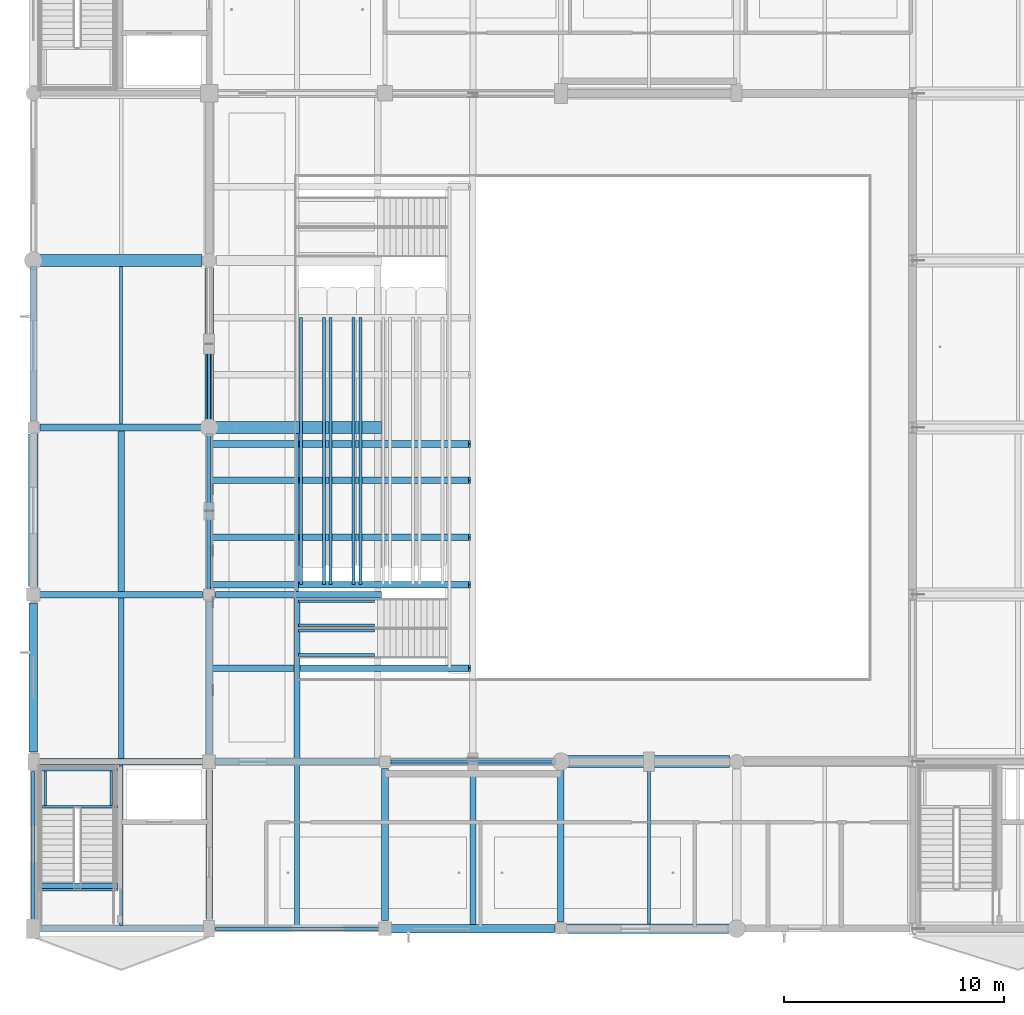
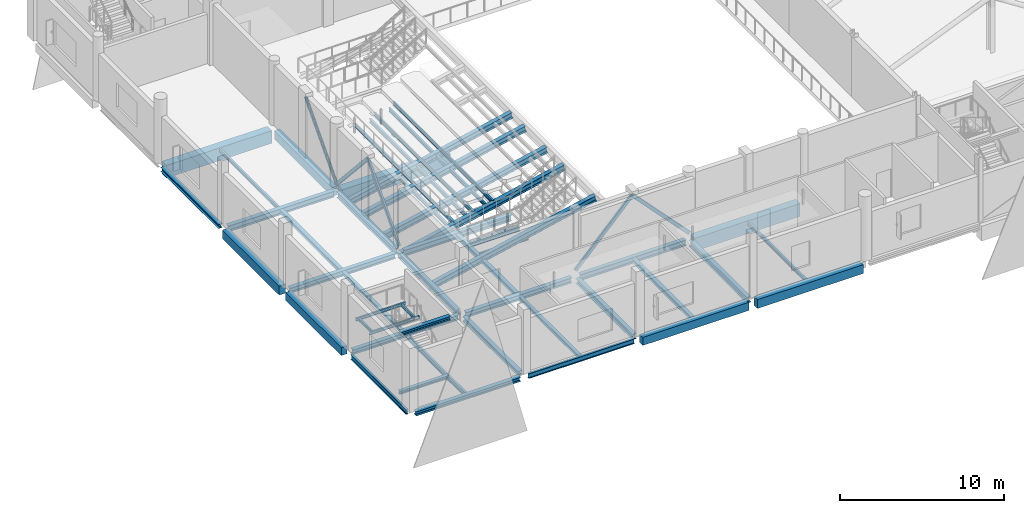
# One storey, part 11 of 147: 52 beams, 5 members.
"""IFC4 building model written with IfcOpenShell, lengths in metres."""

from ifc_helpers import new_model, si_unit, direction, frame, origin, origin_2d, place, context, subcontext, project, spatial, rectangle, hollow_rectangle, hollow_circle, i_section, extrude, material, material_profile, profile_set, type_object, element, save


model = new_model("IFC4")

# Units and contexts
model_context = context("Model", 3, precision=1e-05, world=origin(), true_north=direction((0.0, 1.0)))
body_context = subcontext(model_context, "Body", "Model", "MODEL_VIEW")
ifc_project = project(units=[si_unit("LENGTHUNIT", "METRE"), si_unit("AREAUNIT", "SQUARE_METRE"), si_unit("VOLUMEUNIT", "CUBIC_METRE"), si_unit("PLANEANGLEUNIT", "RADIAN"), si_unit("MASSUNIT", "GRAM", prefix="KILO")], contexts=[model_context])

# Site, building, storey
site_placement = place(None, origin())
site = spatial("IfcSite", under=ifc_project, at=site_placement, CompositionType="ELEMENT")
building_placement = place(site_placement, origin())
building = spatial("IfcBuilding", under=site, at=building_placement, Name="Khelvaren Railside Concert Hall", CompositionType="ELEMENT")
storey_placement = place(building_placement, frame((0.0, 0.0, 5.39990234375)))
storey = spatial("IfcBuildingStorey", under=building, at=storey_placement, Name="L01", CompositionType="ELEMENT", Elevation=5.39990234375)

# Beams
ifc_material_1 = material(Name="Steel S355", Category="steel")
ifc_material_profile_1 = material_profile(ifc_material_1, i_section(OverallWidth=0.300048828125, OverallDepth=0.389892578125, WebThickness=0.010986328125, FlangeThickness=0.01904296875, FilletRadius=0.027099609375, at=origin_2d()), Name="HEA 400")
ifc_profile_set_1 = profile_set([ifc_material_profile_1], Name="Steel S355")
beam_type_1 = type_object("IfcBeamType", Name="BM23", PredefinedType="BEAM", material=ifc_profile_set_1)
for number, where, z_axis, x_axis, name in (
    (1, (8.25, 7.60009765625, -0.494873046875), (1.0, 0.0, 0.0), (0.0, 1.0, 0.0), "V1 L01 Beam X2.2"),
    (2, (0.25, 15.199951171875, -0.494873046875), (1.0, 0.0, 0.0), (0.0, 1.0, 0.0), "V1 L01 Beam X3.1"),
):
    element("IfcBeam", number, at=place(storey_placement, frame(where, z_axis=z_axis, x_axis=x_axis)), inside=storey, type_object=beam_type_1, Name=name, PredefinedType="BEAM", context=body_context, shape_type="SweptSolid", body=[
        extrude(i_section(OverallWidth=0.300048828125, OverallDepth=0.389892578125, WebThickness=0.010986328125, FlangeThickness=0.01904296875, FilletRadius=0.027099609375, at=origin_2d()), origin(), (0.0, 0.0, 1.0), 7.449951171875),
    ])
beam_1_placement = place(storey_placement, frame((8.0, 7.97509765625, -0.494873046875), z_axis=(0.0, 1.0, 0.0), x_axis=(-1.0, 0.0, 0.0)))
element("IfcBeam", 3, at=beam_1_placement, inside=storey, type_object=beam_type_1, Name="V1 L01 Beam Y2.2", PredefinedType="BEAM", context=body_context, shape_type="SweptSolid", body=[
    extrude(i_section(OverallWidth=0.300048828125, OverallDepth=0.389892578125, WebThickness=0.010986328125, FlangeThickness=0.01904296875, FilletRadius=0.027099609375, at=origin_2d()), origin(), (0.0, 0.0, 1.0), 6.9248046875),
])
beam_2_placement = place(storey_placement, frame((16.0, 0.375, -0.494873046875), z_axis=(0.0, 1.0, 0.0), x_axis=(-1.0, 0.0, 0.0)))
element("IfcBeam", 4, at=beam_2_placement, inside=storey, type_object=beam_type_1, Name="V1 L01 Beam Y3.1", PredefinedType="BEAM", context=body_context, shape_type="SweptSolid", body=[
    extrude(i_section(OverallWidth=0.300048828125, OverallDepth=0.389892578125, WebThickness=0.010986328125, FlangeThickness=0.01904296875, FilletRadius=0.027099609375, at=origin_2d()), origin(), (0.0, 0.0, 1.0), 6.925048828125),
])
ifc_material_profile_2 = material_profile(ifc_material_1, i_section(OverallWidth=0.1201171875, OverallDepth=0.239990234375, WebThickness=0.006103515625, FlangeThickness=0.009765625, FilletRadius=0.014892578125, at=origin_2d()), Name="IPE 240")
ifc_profile_set_2 = profile_set([ifc_material_profile_2], Name="Steel S355")
beam_type_2 = type_object("IfcBeamType", Name="BM30", PredefinedType="BEAM", material=ifc_profile_set_2)
for number, where, z_axis, x_axis, name in (
    (5, (12.070068359375, 12.449951171875, -0.31982421875), (1.0, 0.0, 0.0), (0.0, 1.0, 0.0), "Vomitory Landing Stringer ST-17-S"),
    (6, (12.070068359375, 13.550048828125, -0.31982421875), (1.0, 0.0, 0.0), (0.0, 1.0, 0.0), "Vomitory Landing Stringer ST-17-N"),
    (7, (12.070068359375, 13.800048828125, -0.31982421875), (1.0, 0.0, 0.0), (0.0, 1.0, 0.0), "Vomitory Landing Stringer ST-18-S"),
    (8, (12.070068359375, 14.89990234375, -0.31982421875), (1.0, 0.0, 0.0), (0.0, 1.0, 0.0), "Vomitory Landing Stringer ST-18-N"),
):
    element("IfcBeam", number, at=place(storey_placement, frame(where, z_axis=z_axis, x_axis=x_axis)), inside=storey, type_object=beam_type_2, Name=name, PredefinedType="BEAM", context=body_context, shape_type="SweptSolid", body=[
        extrude(i_section(OverallWidth=0.1201171875, OverallDepth=0.239990234375, WebThickness=0.006103515625, FlangeThickness=0.009765625, FilletRadius=0.014892578125, at=origin_2d()), origin(), (0.0, 0.0, 1.0), 3.449951171875),
    ])
ifc_material_2 = material(Name="Concrete C40/50", Category="concrete")
ifc_material_profile_3 = material_profile(ifc_material_2, rectangle(XDim=0.39990234375, YDim=0.64990234375, at=origin_2d()), Name="RCB 400x650")
ifc_profile_set_3 = profile_set([ifc_material_profile_3], Name="Concrete C40/50")
beam_type_3 = type_object("IfcBeamType", Name="BM33", PredefinedType="BEAM", material=ifc_profile_set_3)
beam_3_placement = place(storey_placement, frame((8.0, 23.050048828125, -0.625), z_axis=(0.0, 1.0, 0.0), x_axis=(-1.0, 0.0, 0.0)))
element("IfcBeam", 9, at=beam_3_placement, inside=storey, type_object=beam_type_3, Name="V1 L01 Beam Y2.4", PredefinedType="BEAM", context=body_context, shape_type="SweptSolid", body=[
    extrude(rectangle(XDim=0.39990234375, YDim=0.64990234375, at=origin_2d()), origin(), (0.0, 0.0, 1.0), 7.013916015625),
])
ifc_material_profile_4 = material_profile(ifc_material_1, i_section(OverallWidth=0.239990234375, OverallDepth=0.22998046875, WebThickness=0.007568359375, FlangeThickness=0.011962890625, FilletRadius=0.02099609375, at=origin_2d()), Name="HEA 240")
ifc_profile_set_4 = profile_set([ifc_material_profile_4], Name="Steel S355")
beam_type_4 = type_object("IfcBeamType", Name="BM42", PredefinedType="BEAM", material=ifc_profile_set_4)
beam_4_placement = place(storey_placement, frame((0.344970703125, 1.960693359375, -0.114990234375), z_axis=(1.0, 0.0, 0.0), x_axis=(0.0, 1.0, 0.0)))
element("IfcBeam", 10, at=beam_4_placement, inside=storey, type_object=beam_type_4, Name="ST-01 L01 Stair Foot Trimmer Beam", PredefinedType="BEAM", context=body_context, shape_type="SweptSolid", body=[
    extrude(i_section(OverallWidth=0.239990234375, OverallDepth=0.22998046875, WebThickness=0.007568359375, FlangeThickness=0.011962890625, FilletRadius=0.02099609375, at=origin_2d()), origin(), (0.0, 0.0, 1.0), 3.4951171875),
])
ifc_material_profile_5 = material_profile(ifc_material_1, i_section(OverallWidth=0.300048828125, OverallDepth=0.35009765625, WebThickness=0.010009765625, FlangeThickness=0.017578125, FilletRadius=0.027099609375, at=origin_2d()), Name="HEA 360")
ifc_profile_set_5 = profile_set([ifc_material_profile_5], Name="Steel S355")
beam_type_5 = type_object("IfcBeamType", Name="BM73", PredefinedType="BEAM", material=ifc_profile_set_5)
beam_5_placement = place(storey_placement, frame((0.300048828125, 7.60009765625, -0.474853515625), z_axis=(1.0, 0.0, 0.0), x_axis=(0.0, 1.0, 0.0)))
element("IfcBeam", 11, at=beam_5_placement, inside=storey, type_object=beam_type_5, Name="V1 L01 Beam X2.1", PredefinedType="BEAM", context=body_context, shape_type="SweptSolid", body=[
    extrude(i_section(OverallWidth=0.300048828125, OverallDepth=0.35009765625, WebThickness=0.010009765625, FlangeThickness=0.017578125, FilletRadius=0.027099609375, at=origin_2d()), origin(), (0.0, 0.0, 1.0), 7.449951171875),
])
beam_6_placement = place(storey_placement, frame((8.0, 0.449951171875, -0.474853515625), z_axis=(0.0, 1.0, 0.0), x_axis=(-1.0, 0.0, 0.0)))
element("IfcBeam", 12, at=beam_6_placement, inside=storey, type_object=beam_type_5, Name="V1 L01 Beam Y2.1", PredefinedType="BEAM", context=body_context, shape_type="SweptSolid", body=[
    extrude(i_section(OverallWidth=0.300048828125, OverallDepth=0.35009765625, WebThickness=0.010009765625, FlangeThickness=0.017578125, FilletRadius=0.027099609375, at=origin_2d()), origin(), (0.0, 0.0, 1.0), 6.775146484375),
])
ifc_material_profile_6 = material_profile(ifc_material_1, i_section(OverallWidth=0.110107421875, OverallDepth=0.219970703125, WebThickness=0.005859375, FlangeThickness=0.00927734375, FilletRadius=0.011962890625, at=origin_2d()), Name="IPE 220")
ifc_profile_set_6 = profile_set([ifc_material_profile_6], Name="Steel S355")
beam_type_6 = type_object("IfcBeamType", Name="BM87", PredefinedType="BEAM", material=ifc_profile_set_6)
for number, where, z_axis, x_axis, name in (
    (13, (0.344970703125, 5.544921875, 2.090087890625), (1.0, 0.0, 0.0), (0.0, 1.0, 0.0), "ST-01 L01 Half-Landing Front Beam"),
    (14, (0.344970703125, 7.239990234375, 2.090087890625), (1.0, 0.0, 0.0), (0.0, 1.0, 0.0), "ST-01 L01 Half-Landing Rear Beam"),
):
    element("IfcBeam", number, at=place(storey_placement, frame(where, z_axis=z_axis, x_axis=x_axis)), inside=storey, type_object=beam_type_6, Name=name, PredefinedType="BEAM", context=body_context, shape_type="SweptSolid", body=[
        extrude(i_section(OverallWidth=0.110107421875, OverallDepth=0.219970703125, WebThickness=0.005859375, FlangeThickness=0.00927734375, FilletRadius=0.011962890625, at=origin_2d()), origin(), (0.0, 0.0, 1.0), 3.4951171875),
    ])
for number, where, z_axis, x_axis, name in (
    (15, (0.550048828125, 5.60009765625, 2.090087890625), (0.0, 1.0, 0.0), (-1.0, 0.0, 0.0), "ST-01 L01 Half-Landing Side Tie W"),
    (16, (3.550048828125, 5.60009765625, 2.090087890625), (0.0, 1.0, 0.0), (-1.0, 0.0, 0.0), "ST-01 L01 Half-Landing Side Tie E"),
):
    element("IfcBeam", number, at=place(storey_placement, frame(where, z_axis=z_axis, x_axis=x_axis)), inside=storey, type_object=beam_type_6, Name=name, PredefinedType="BEAM", context=body_context, shape_type="SweptSolid", body=[
        extrude(i_section(OverallWidth=0.110107421875, OverallDepth=0.219970703125, WebThickness=0.005859375, FlangeThickness=0.00927734375, FilletRadius=0.011962890625, at=origin_2d()), origin(), (0.0, 0.0, 1.0), 1.5849609375),
    ])
ifc_material_profile_7 = material_profile(ifc_material_1, i_section(OverallWidth=0.300048828125, OverallDepth=0.43994140625, WebThickness=0.011474609375, FlangeThickness=0.02099609375, FilletRadius=0.027099609375, at=origin_2d()), Name="HEA 450")
ifc_profile_set_7 = profile_set([ifc_material_profile_7], Name="Steel S355")
beam_type_7 = type_object("IfcBeamType", Name="BM89", PredefinedType="BEAM", material=ifc_profile_set_7)
beam_7_placement = place(storey_placement, frame((16.300048828125, 7.60009765625, -0.52001953125), z_axis=(1.0, 0.0, 0.0), x_axis=(0.0, 1.0, 0.0)))
element("IfcBeam", 17, at=beam_7_placement, inside=storey, type_object=beam_type_7, Name="V1 L01 Beam X2.3", PredefinedType="BEAM", context=body_context, shape_type="SweptSolid", body=[
    extrude(i_section(OverallWidth=0.300048828125, OverallDepth=0.43994140625, WebThickness=0.011474609375, FlangeThickness=0.02099609375, FilletRadius=0.027099609375, at=origin_2d()), origin(), (0.0, 0.0, 1.0), 7.449951171875),
])
beam_8_placement = place(storey_placement, frame((8.300048828125, 15.199951171875, -0.52001953125), z_axis=(1.0, 0.0, 0.0), x_axis=(0.0, 1.0, 0.0)))
element("IfcBeam", 18, at=beam_8_placement, inside=storey, type_object=beam_type_7, Name="V1 L01 Beam X3.2", PredefinedType="BEAM", context=body_context, shape_type="SweptSolid", body=[
    extrude(i_section(OverallWidth=0.300048828125, OverallDepth=0.43994140625, WebThickness=0.011474609375, FlangeThickness=0.02099609375, FilletRadius=0.027099609375, at=origin_2d()), origin(), (0.0, 0.0, 1.0), 7.550048828125),
])
beam_9_placement = place(storey_placement, frame((0.300048828125, 22.800048828125, -0.52001953125), z_axis=(1.0, 0.0, 0.0), x_axis=(0.0, 1.0, 0.0)))
element("IfcBeam", 19, at=beam_9_placement, inside=storey, type_object=beam_type_7, Name="V1 L01 Beam X4.1", PredefinedType="BEAM", context=body_context, shape_type="SweptSolid", body=[
    extrude(i_section(OverallWidth=0.300048828125, OverallDepth=0.43994140625, WebThickness=0.011474609375, FlangeThickness=0.02099609375, FilletRadius=0.027099609375, at=origin_2d()), origin(), (0.0, 0.0, 1.0), 7.449951171875),
])
for number, where, z_axis, x_axis, name in (
    (20, (8.0, 15.5, -0.52001953125), (0.0, 1.0, 0.0), (-1.0, 0.0, 0.0), "V1 L01 Beam Y2.3"),
    (21, (24.0, 0.300048828125, -0.52001953125), (0.0, 1.0, 0.0), (-1.0, 0.0, 0.0), "V1 L01 Beam Y4.1"),
):
    element("IfcBeam", number, at=place(storey_placement, frame(where, z_axis=z_axis, x_axis=x_axis)), inside=storey, type_object=beam_type_7, Name=name, PredefinedType="BEAM", context=body_context, shape_type="SweptSolid", body=[
        extrude(i_section(OverallWidth=0.300048828125, OverallDepth=0.43994140625, WebThickness=0.011474609375, FlangeThickness=0.02099609375, FilletRadius=0.027099609375, at=origin_2d()), origin(), (0.0, 0.0, 1.0), 7.050048828125),
    ])
ifc_material_profile_8 = material_profile(ifc_material_1, i_section(OverallWidth=0.280029296875, OverallDepth=0.27001953125, WebThickness=0.008056640625, FlangeThickness=0.012939453125, FilletRadius=0.02392578125, at=origin_2d()), Name="HEA 280")
ifc_profile_set_8 = profile_set([ifc_material_profile_8], Name="Steel S355")
beam_type_8 = type_object("IfcBeamType", Name="BM93", PredefinedType="BEAM", material=ifc_profile_set_8)
beam_10_placement = place(storey_placement, frame((0.344970703125, 1.860107421875, 4.31787109375), z_axis=(1.0, 0.0, 0.0), x_axis=(0.0, 1.0, 0.0)))
element("IfcBeam", 22, at=beam_10_placement, inside=storey, type_object=beam_type_8, Name="ST-01 L01 Stair Top Arrival Trimmer Beam", PredefinedType="BEAM", context=body_context, shape_type="SweptSolid", body=[
    extrude(i_section(OverallWidth=0.280029296875, OverallDepth=0.27001953125, WebThickness=0.008056640625, FlangeThickness=0.012939453125, FilletRadius=0.02392578125, at=origin_2d()), origin(), (0.0, 0.0, 1.0), 3.4951171875),
])

# Members
ifc_material_profile_9 = material_profile(ifc_material_1, hollow_circle(Radius=0.109619140625, WallThickness=0.012451171875, at=origin_2d()), Name="CHS 219.1x12.5")
ifc_profile_set_9 = profile_set([ifc_material_profile_9], Name="Steel S355")
member_type_1 = type_object("IfcMemberType", Name="BR37", PredefinedType="BRACE", material=ifc_profile_set_9)
member_placement = place(storey_placement, frame((8.0, 22.800048828125, 0.050048828125), z_axis=(0.0, 0.670043795983, 0.742321568772), x_axis=(-1.0, 0.0, 0.0)))
element("IfcMember", 23, at=member_placement, inside=storey, type_object=member_type_1, Name="V1 L01 Seismic Chevron Brace 13", PredefinedType="BRACE", context=body_context, shape_type="SweptSolid", body=[
    extrude(hollow_circle(Radius=0.109619140625, WallThickness=0.012451171875, at=origin_2d()), origin(), (0.0, 0.0, 1.0), 5.67138671875),
])
ifc_material_profile_10 = material_profile(ifc_material_1, hollow_rectangle(XDim=0.14990234375, YDim=0.25, WallThickness=0.012451171875, InnerFilletRadius=0.012451171875, OuterFilletRadius=0.01904296875, at=origin_2d()), Name="RHS 250x150x12.5")
ifc_profile_set_10 = profile_set([ifc_material_profile_10], Name="Steel S355")
member_type_2 = type_object("IfcMemberType", Name="BR52", PredefinedType="BRACE", material=ifc_profile_set_10)
for number, where, z_axis, x_axis, name in (
    (24, (8.0, 15.199951171875, 0.050048828125), (0.0, 0.670043795983, 0.742321568772), (-1.0, 0.0, 0.0), "V1 L01 Seismic Chevron Brace 3"),
    (25, (8.0, 22.800048828125, 0.050048828125), (0.0, -0.670043795983, 0.742321568772), (1.0, 0.0, 0.0), "V1 L01 Seismic Chevron Brace 4"),
):
    element("IfcMember", number, at=place(storey_placement, frame(where, z_axis=z_axis, x_axis=x_axis)), inside=storey, type_object=member_type_2, Name=name, PredefinedType="BRACE", context=body_context, shape_type="SweptSolid", body=[
        extrude(hollow_rectangle(XDim=0.14990234375, YDim=0.25, WallThickness=0.012451171875, InnerFilletRadius=0.012451171875, OuterFilletRadius=0.01904296875, at=origin_2d()), origin(), (0.0, 0.0, 1.0), 5.67138671875),
    ])
for number, where, z_axis, x_axis, name in (
    (26, (16.0, 7.60009765625, 0.050048828125), (0.688798075334, 0.0, 0.724953247745), (0.0, 1.0, 0.0), "V1 L01 Seismic Chevron Brace 23"),
    (27, (24.0, 7.60009765625, 0.050048828125), (-0.688798075334, 0.0, 0.724953247745), (0.0, -1.0, 0.0), "V1 L01 Seismic Chevron Brace 24"),
):
    element("IfcMember", number, at=place(storey_placement, frame(where, z_axis=z_axis, x_axis=x_axis)), inside=storey, type_object=member_type_2, Name=name, PredefinedType="BRACE", context=body_context, shape_type="SweptSolid", body=[
        extrude(hollow_rectangle(XDim=0.14990234375, YDim=0.25, WallThickness=0.012451171875, InnerFilletRadius=0.012451171875, OuterFilletRadius=0.01904296875, at=origin_2d()), origin(), (0.0, 0.0, 1.0), 5.80712890625),
    ])

# Beams
ifc_material_profile_11 = material_profile(ifc_material_2, rectangle(XDim=0.550048828125, YDim=0.949951171875, at=origin_2d()), Name="RCB 550x950")
ifc_profile_set_11 = profile_set([ifc_material_profile_11], Name="Concrete C40/50")
beam_type_9 = type_object("IfcBeamType", Name="GR57", PredefinedType="T_BEAM", material=ifc_profile_set_11)
beam_11_placement = place(storey_placement, frame((24.25, 7.60009765625, -0.77490234375), z_axis=(1.0, 0.0, 0.0), x_axis=(0.0, 1.0, 0.0)))
element("IfcBeam", 28, at=beam_11_placement, inside=storey, type_object=beam_type_9, Name="V1 L01 T_Beam X2.4", PredefinedType="T_BEAM", context=body_context, shape_type="SweptSolid", body=[
    extrude(rectangle(XDim=0.550048828125, YDim=0.949951171875, at=origin_2d()), origin(), (0.0, 0.0, 1.0), 7.4140625),
])
beam_12_placement = place(storey_placement, frame((8.25, 22.800048828125, -0.77490234375), z_axis=(1.0, 0.0, 0.0), x_axis=(0.0, 1.0, 0.0)))
element("IfcBeam", 29, at=beam_12_placement, inside=storey, type_object=beam_type_9, Name="V1 L01 T_Beam X4.2", PredefinedType="T_BEAM", context=body_context, shape_type="SweptSolid", body=[
    extrude(rectangle(XDim=0.550048828125, YDim=0.949951171875, at=origin_2d()), origin(), (0.0, 0.0, 1.0), 7.60009765625),
])
beam_13_placement = place(storey_placement, frame((0.25, 30.39990234375, -0.77490234375), z_axis=(1.0, 0.0, 0.0), x_axis=(0.0, 1.0, 0.0)))
element("IfcBeam", 30, at=beam_13_placement, inside=storey, type_object=beam_type_9, Name="V1 L01 T_Beam X5.1", PredefinedType="T_BEAM", context=body_context, shape_type="SweptSolid", body=[
    extrude(rectangle(XDim=0.550048828125, YDim=0.949951171875, at=origin_2d()), origin(), (0.0, 0.0, 1.0), 7.4140625),
])
ifc_material_profile_12 = material_profile(ifc_material_1, i_section(OverallWidth=0.280029296875, OverallDepth=0.27001953125, WebThickness=0.008056640625, FlangeThickness=0.012939453125, FilletRadius=0.02392578125, at=origin_2d()), Name="HEA 280")
ifc_profile_set_12 = profile_set([ifc_material_profile_12], Name="Steel S355")
beam_type_10 = type_object("IfcBeamType", Name="JS46", PredefinedType="JOIST", material=ifc_profile_set_12)
beam_14_placement = place(storey_placement, frame((4.0, 15.35009765625, -0.434814453125), z_axis=(0.0, 1.0, 0.0), x_axis=(-1.0, 0.0, 0.0)))
element("IfcBeam", 31, at=beam_14_placement, inside=storey, type_object=beam_type_10, Name="V1 L01 Secondary Joist 1.3", PredefinedType="JOIST", context=body_context, shape_type="SweptSolid", body=[
    extrude(i_section(OverallWidth=0.280029296875, OverallDepth=0.27001953125, WebThickness=0.008056640625, FlangeThickness=0.012939453125, FilletRadius=0.02392578125, at=origin_2d()), origin(), (0.0, 0.0, 1.0), 7.2998046875),
])
beam_15_placement = place(storey_placement, frame((12.0, 7.75, -0.434814453125), z_axis=(0.0, 1.0, 0.0), x_axis=(-1.0, 0.0, 0.0)))
element("IfcBeam", 32, at=beam_15_placement, inside=storey, type_object=beam_type_10, Name="V1 L01 Secondary Joist 2.2", PredefinedType="JOIST", context=body_context, shape_type="SweptSolid", body=[
    extrude(i_section(OverallWidth=0.280029296875, OverallDepth=0.27001953125, WebThickness=0.008056640625, FlangeThickness=0.012939453125, FilletRadius=0.02392578125, at=origin_2d()), origin(), (0.0, 0.0, 1.0), 7.300048828125),
])
beam_16_placement = place(storey_placement, frame((20.0, 0.199951171875, -0.434814453125), z_axis=(0.0, 1.0, 0.0), x_axis=(-1.0, 0.0, 0.0)))
element("IfcBeam", 33, at=beam_16_placement, inside=storey, type_object=beam_type_10, Name="V1 L01 Secondary Joist 3.1", PredefinedType="JOIST", context=body_context, shape_type="SweptSolid", body=[
    extrude(i_section(OverallWidth=0.280029296875, OverallDepth=0.27001953125, WebThickness=0.008056640625, FlangeThickness=0.012939453125, FilletRadius=0.02392578125, at=origin_2d()), origin(), (0.0, 0.0, 1.0), 7.25),
])
ifc_material_profile_13 = material_profile(ifc_material_1, i_section(OverallWidth=0.159912109375, OverallDepth=0.330078125, WebThickness=0.007568359375, FlangeThickness=0.011474609375, FilletRadius=0.01806640625, at=origin_2d()), Name="IPE 330")
ifc_profile_set_13 = profile_set([ifc_material_profile_13], Name="Steel S355")
beam_type_11 = type_object("IfcBeamType", Name="JS65", PredefinedType="JOIST", material=ifc_profile_set_13)
beam_17_placement = place(storey_placement, frame((4.0, 0.14990234375, -0.46484375), z_axis=(0.0, 1.0, 0.0), x_axis=(-1.0, 0.0, 0.0)))
element("IfcBeam", 34, at=beam_17_placement, inside=storey, type_object=beam_type_11, Name="V1 L01 Secondary Joist 1.1", PredefinedType="JOIST", context=body_context, shape_type="SweptSolid", body=[
    extrude(i_section(OverallWidth=0.159912109375, OverallDepth=0.330078125, WebThickness=0.007568359375, FlangeThickness=0.011474609375, FilletRadius=0.01806640625, at=origin_2d()), origin(), (0.0, 0.0, 1.0), 7.300048828125),
])
ifc_material_profile_14 = material_profile(ifc_material_1, i_section(OverallWidth=0.239990234375, OverallDepth=0.22998046875, WebThickness=0.007568359375, FlangeThickness=0.011962890625, FilletRadius=0.02099609375, at=origin_2d()), Name="HEA 240")
ifc_profile_set_14 = profile_set([ifc_material_profile_14], Name="Steel S355")
beam_type_12 = type_object("IfcBeamType", Name="JS76", PredefinedType="JOIST", material=ifc_profile_set_14)
beam_18_placement = place(storey_placement, frame((4.0, 7.75, -0.414794921875), z_axis=(0.0, 1.0, 0.0), x_axis=(-1.0, 0.0, 0.0)))
element("IfcBeam", 35, at=beam_18_placement, inside=storey, type_object=beam_type_12, Name="V1 L01 Secondary Joist 1.2", PredefinedType="JOIST", context=body_context, shape_type="SweptSolid", body=[
    extrude(i_section(OverallWidth=0.239990234375, OverallDepth=0.22998046875, WebThickness=0.007568359375, FlangeThickness=0.011962890625, FilletRadius=0.02099609375, at=origin_2d()), origin(), (0.0, 0.0, 1.0), 7.300048828125),
])
beam_19_placement = place(storey_placement, frame((12.0, 0.0849609375, -0.414794921875), z_axis=(0.0, 1.0, 0.0), x_axis=(-1.0, 0.0, 0.0)))
element("IfcBeam", 36, at=beam_19_placement, inside=storey, type_object=beam_type_12, Name="V1 L01 Secondary Joist 2.1", PredefinedType="JOIST", context=body_context, shape_type="SweptSolid", body=[
    extrude(i_section(OverallWidth=0.239990234375, OverallDepth=0.22998046875, WebThickness=0.007568359375, FlangeThickness=0.011962890625, FilletRadius=0.02099609375, at=origin_2d()), origin(), (0.0, 0.0, 1.0), 7.364990234375),
])
ifc_material_profile_15 = material_profile(ifc_material_1, i_section(OverallWidth=0.135009765625, OverallDepth=0.27001953125, WebThickness=0.006591796875, FlangeThickness=0.01025390625, FilletRadius=0.014892578125, at=origin_2d()), Name="IPE 270")
ifc_profile_set_15 = profile_set([ifc_material_profile_15], Name="Steel S355")
beam_type_13 = type_object("IfcBeamType", Name="JS78", PredefinedType="JOIST", material=ifc_profile_set_15)
beam_20_placement = place(storey_placement, frame((4.0, 22.949951171875, -0.434814453125), z_axis=(0.0, 1.0, 0.0), x_axis=(-1.0, 0.0, 0.0)))
element("IfcBeam", 37, at=beam_20_placement, inside=storey, type_object=beam_type_13, Name="V1 L01 Secondary Joist 1.4", PredefinedType="JOIST", context=body_context, shape_type="SweptSolid", body=[
    extrude(i_section(OverallWidth=0.135009765625, OverallDepth=0.27001953125, WebThickness=0.006591796875, FlangeThickness=0.01025390625, FilletRadius=0.014892578125, at=origin_2d()), origin(), (0.0, 0.0, 1.0), 7.175048828125),
])
beam_21_placement = place(storey_placement, frame((12.0, 15.35009765625, -0.434814453125), z_axis=(0.0, 1.0, 0.0), x_axis=(-1.0, 0.0, 0.0)))
element("IfcBeam", 38, at=beam_21_placement, inside=storey, type_object=beam_type_13, Name="V1 L01 Secondary Joist 2.3", PredefinedType="JOIST", context=body_context, shape_type="SweptSolid", body=[
    extrude(i_section(OverallWidth=0.135009765625, OverallDepth=0.27001953125, WebThickness=0.006591796875, FlangeThickness=0.01025390625, FilletRadius=0.014892578125, at=origin_2d()), origin(), (0.0, 0.0, 1.0), 7.1748046875),
])
beam_22_placement = place(storey_placement, frame((28.0, 0.22509765625, -0.434814453125), z_axis=(0.0, 1.0, 0.0), x_axis=(-1.0, 0.0, 0.0)))
element("IfcBeam", 39, at=beam_22_placement, inside=storey, type_object=beam_type_13, Name="V1 L01 Secondary Joist 4.1", PredefinedType="JOIST", context=body_context, shape_type="SweptSolid", body=[
    extrude(i_section(OverallWidth=0.135009765625, OverallDepth=0.27001953125, WebThickness=0.006591796875, FlangeThickness=0.01025390625, FilletRadius=0.014892578125, at=origin_2d()), origin(), (0.0, 0.0, 1.0), 7.099853515625),
])
for number, where, z_axis, x_axis, name in (
    (40, (12.179931640625, 15.64990234375, -0.044921875), (0.0, 1.0, 0.0), (-1.0, 0.0, 0.0), "V1-L01 Seating Tier Step Joist 1B"),
    (41, (13.219970703125, 15.64990234375, -0.044921875), (0.0, 1.0, 0.0), (-1.0, 0.0, 0.0), "V1-L01 Seating Tier Step Joist 1F"),
    (42, (13.530029296875, 15.64990234375, 0.295166015625), (0.0, 1.0, 0.0), (-1.0, 0.0, 0.0), "V1-L01 Seating Tier Step Joist 2B"),
    (43, (14.570068359375, 15.64990234375, 0.295166015625), (0.0, 1.0, 0.0), (-1.0, 0.0, 0.0), "V1-L01 Seating Tier Step Joist 2F"),
    (44, (14.8798828125, 15.64990234375, 0.635009765625), (0.0, 1.0, 0.0), (-1.0, 0.0, 0.0), "V1-L01 Seating Tier Step Joist 3B"),
):
    element("IfcBeam", number, at=place(storey_placement, frame(where, z_axis=z_axis, x_axis=x_axis)), inside=storey, type_object=beam_type_13, Name=name, PredefinedType="JOIST", context=body_context, shape_type="SweptSolid", body=[
        extrude(i_section(OverallWidth=0.135009765625, OverallDepth=0.27001953125, WebThickness=0.006591796875, FlangeThickness=0.01025390625, FilletRadius=0.014892578125, at=origin_2d()), origin(), (0.0, 0.0, 1.0), 12.150146484375),
    ])
ifc_material_profile_16 = material_profile(ifc_material_1, i_section(OverallWidth=0.300048828125, OverallDepth=0.449951171875, WebThickness=0.013916015625, FlangeThickness=0.02587890625, FilletRadius=0.027099609375, at=origin_2d()), Name="HEB 450")
ifc_profile_set_16 = profile_set([ifc_material_profile_16], Name="Steel S355")
beam_type_14 = type_object("IfcBeamType", Name="RK43", PredefinedType="USERDEFINED", material=ifc_profile_set_16)
for number, where, z_axis, x_axis, name in (
    (45, (8.169921875, 11.85009765625, -1.013916015625), (0.976568332246, 0.0, 0.215207556684), (0.0, 1.0, 0.0), "V1-L01 Balcony Raker Beam 1"),
    (46, (8.169921875, 17.800048828125, -1.013916015625), (0.976568332246, 0.0, 0.215207556684), (0.0, 1.0, 0.0), "V1-L01 Balcony Raker Beam 3"),
    (47, (8.169921875, 22.050048828125, -1.013916015625), (0.976568332246, 0.0, 0.215207556684), (0.0, 1.0, 0.0), "V1-L01 Balcony Raker Beam 5"),
):
    element("IfcBeam", number, at=place(storey_placement, frame(where, z_axis=z_axis, x_axis=x_axis)), inside=storey, type_object=beam_type_14, Name=name, ObjectType="RAKER", PredefinedType="USERDEFINED", context=body_context, shape_type="SweptSolid", body=[
        extrude(i_section(OverallWidth=0.300048828125, OverallDepth=0.449951171875, WebThickness=0.013916015625, FlangeThickness=0.02587890625, FilletRadius=0.027099609375, at=origin_2d()), origin(), (0.0, 0.0, 1.0), 11.96044921875),
    ])
ifc_material_profile_17 = material_profile(ifc_material_1, i_section(OverallWidth=0.300048828125, OverallDepth=0.43994140625, WebThickness=0.011474609375, FlangeThickness=0.02099609375, FilletRadius=0.027099609375, at=origin_2d()), Name="HEA 450")
ifc_profile_set_17 = profile_set([ifc_material_profile_17], Name="Steel S355")
beam_type_15 = type_object("IfcBeamType", Name="RK59", PredefinedType="USERDEFINED", material=ifc_profile_set_17)
for number, where, z_axis, x_axis, name in (
    (48, (8.169921875, 15.64990234375, -1.013916015625), (0.976568332246, 0.0, 0.215207556684), (0.0, 1.0, 0.0), "V1-L01 Balcony Raker Beam 2"),
    (49, (8.169921875, 20.39990234375, -1.013916015625), (0.976568332246, 0.0, 0.215207556684), (0.0, 1.0, 0.0), "V1-L01 Balcony Raker Beam 4"),
):
    element("IfcBeam", number, at=place(storey_placement, frame(where, z_axis=z_axis, x_axis=x_axis)), inside=storey, type_object=beam_type_15, Name=name, ObjectType="RAKER", PredefinedType="USERDEFINED", context=body_context, shape_type="SweptSolid", body=[
        extrude(i_section(OverallWidth=0.300048828125, OverallDepth=0.43994140625, WebThickness=0.011474609375, FlangeThickness=0.02099609375, FilletRadius=0.027099609375, at=origin_2d()), origin(), (0.0, 0.0, 1.0), 11.96044921875),
    ])
ifc_material_profile_18 = material_profile(ifc_material_2, rectangle(XDim=0.449951171875, YDim=0.64990234375, at=origin_2d()), Name="RCB 450x650")
ifc_profile_set_18 = profile_set([ifc_material_profile_18], Name="Concrete C40/50")
beam_type_16 = type_object("IfcBeamType", Name="SP34", PredefinedType="SPANDREL", material=ifc_profile_set_18)
beam_23_placement = place(storey_placement, frame((24.300048828125, 0.0, -0.625), z_axis=(1.0, 0.0, 0.0), x_axis=(0.0, 1.0, 0.0)))
element("IfcBeam", 50, at=beam_23_placement, inside=storey, type_object=beam_type_16, Name="V1 L01 Spandrel X1.4", PredefinedType="SPANDREL", context=body_context, shape_type="SweptSolid", body=[
    extrude(rectangle(XDim=0.449951171875, YDim=0.64990234375, at=origin_2d()), origin(), (0.0, 0.0, 1.0), 7.449951171875),
])
beam_24_placement = place(storey_placement, frame((0.0, 15.574951171875, -0.625), z_axis=(0.0, 1.0, 0.0), x_axis=(-1.0, 0.0, 0.0)))
element("IfcBeam", 51, at=beam_24_placement, inside=storey, type_object=beam_type_16, Name="V1 L01 Spandrel Y1.3", PredefinedType="SPANDREL", context=body_context, shape_type="SweptSolid", body=[
    extrude(rectangle(XDim=0.449951171875, YDim=0.64990234375, at=origin_2d()), origin(), (0.0, 0.0, 1.0), 6.925048828125),
])
ifc_material_profile_19 = material_profile(ifc_material_1, i_section(OverallWidth=0.300048828125, OverallDepth=0.31005859375, WebThickness=0.009033203125, FlangeThickness=0.015380859375, FilletRadius=0.027099609375, at=origin_2d()), Name="HEA 320")
ifc_profile_set_19 = profile_set([ifc_material_profile_19], Name="Steel S355")
beam_type_17 = type_object("IfcBeamType", Name="SP66", PredefinedType="SPANDREL", material=ifc_profile_set_19)
beam_25_placement = place(storey_placement, frame((0.35009765625, 0.0, -0.454833984375), z_axis=(1.0, 0.0, 0.0), x_axis=(0.0, 1.0, 0.0)))
element("IfcBeam", 52, at=beam_25_placement, inside=storey, type_object=beam_type_17, Name="V1 L01 Spandrel X1.1", PredefinedType="SPANDREL", context=body_context, shape_type="SweptSolid", body=[
    extrude(i_section(OverallWidth=0.300048828125, OverallDepth=0.31005859375, WebThickness=0.009033203125, FlangeThickness=0.015380859375, FilletRadius=0.027099609375, at=origin_2d()), origin(), (0.0, 0.0, 1.0), 7.349853515625),
])
beam_26_placement = place(storey_placement, frame((0.0, 23.10009765625, -0.454833984375), z_axis=(0.0, 1.0, 0.0), x_axis=(-1.0, 0.0, 0.0)))
element("IfcBeam", 53, at=beam_26_placement, inside=storey, type_object=beam_type_17, Name="V1 L01 Spandrel Y1.4", PredefinedType="SPANDREL", context=body_context, shape_type="SweptSolid", body=[
    extrude(i_section(OverallWidth=0.300048828125, OverallDepth=0.31005859375, WebThickness=0.009033203125, FlangeThickness=0.015380859375, FilletRadius=0.027099609375, at=origin_2d()), origin(), (0.0, 0.0, 1.0), 7.0498046875),
])
ifc_material_profile_20 = material_profile(ifc_material_1, i_section(OverallWidth=0.169921875, OverallDepth=0.360107421875, WebThickness=0.008056640625, FlangeThickness=0.0126953125, FilletRadius=0.01806640625, at=origin_2d()), Name="IPE 360")
ifc_profile_set_20 = profile_set([ifc_material_profile_20], Name="Steel S355")
beam_type_18 = type_object("IfcBeamType", Name="SP74", PredefinedType="SPANDREL", material=ifc_profile_set_20)
beam_27_placement = place(storey_placement, frame((8.300048828125, 0.0, -0.47998046875), z_axis=(1.0, 0.0, 0.0), x_axis=(0.0, 1.0, 0.0)))
element("IfcBeam", 54, at=beam_27_placement, inside=storey, type_object=beam_type_18, Name="V1 L01 Spandrel X1.2", PredefinedType="SPANDREL", context=body_context, shape_type="SweptSolid", body=[
    extrude(i_section(OverallWidth=0.169921875, OverallDepth=0.360107421875, WebThickness=0.008056640625, FlangeThickness=0.0126953125, FilletRadius=0.01806640625, at=origin_2d()), origin(), (0.0, 0.0, 1.0), 7.449951171875),
])
beam_28_placement = place(storey_placement, frame((0.0, 0.35009765625, -0.47998046875), z_axis=(0.0, 1.0, 0.0), x_axis=(-1.0, 0.0, 0.0)))
element("IfcBeam", 55, at=beam_28_placement, inside=storey, type_object=beam_type_18, Name="V1 L01 Spandrel Y1.1", PredefinedType="SPANDREL", context=body_context, shape_type="SweptSolid", body=[
    extrude(i_section(OverallWidth=0.169921875, OverallDepth=0.360107421875, WebThickness=0.008056640625, FlangeThickness=0.0126953125, FilletRadius=0.01806640625, at=origin_2d()), origin(), (0.0, 0.0, 1.0), 6.7998046875),
])
ifc_material_profile_21 = material_profile(ifc_material_2, rectangle(XDim=0.39990234375, YDim=0.60009765625, at=origin_2d()), Name="RCB 400x600")
ifc_profile_set_21 = profile_set([ifc_material_profile_21], Name="Concrete C40/50")
beam_type_19 = type_object("IfcBeamType", Name="SP75", PredefinedType="SPANDREL", material=ifc_profile_set_21)
beam_29_placement = place(storey_placement, frame((16.25, 0.0, -0.599853515625), z_axis=(1.0, 0.0, 0.0), x_axis=(0.0, 1.0, 0.0)))
element("IfcBeam", 56, at=beam_29_placement, inside=storey, type_object=beam_type_19, Name="V1 L01 Spandrel X1.3", PredefinedType="SPANDREL", context=body_context, shape_type="SweptSolid", body=[
    extrude(rectangle(XDim=0.39990234375, YDim=0.60009765625, at=origin_2d()), origin(), (0.0, 0.0, 1.0), 7.449951171875),
])
beam_30_placement = place(storey_placement, frame((0.0, 8.050048828125, -0.599853515625), z_axis=(0.0, 1.0, 0.0), x_axis=(-1.0, 0.0, 0.0)))
element("IfcBeam", 57, at=beam_30_placement, inside=storey, type_object=beam_type_19, Name="V1 L01 Spandrel Y1.2", PredefinedType="SPANDREL", context=body_context, shape_type="SweptSolid", body=[
    extrude(rectangle(XDim=0.39990234375, YDim=0.60009765625, at=origin_2d()), origin(), (0.0, 0.0, 1.0), 6.77490234375),
])

save(model, "model.ifc")
